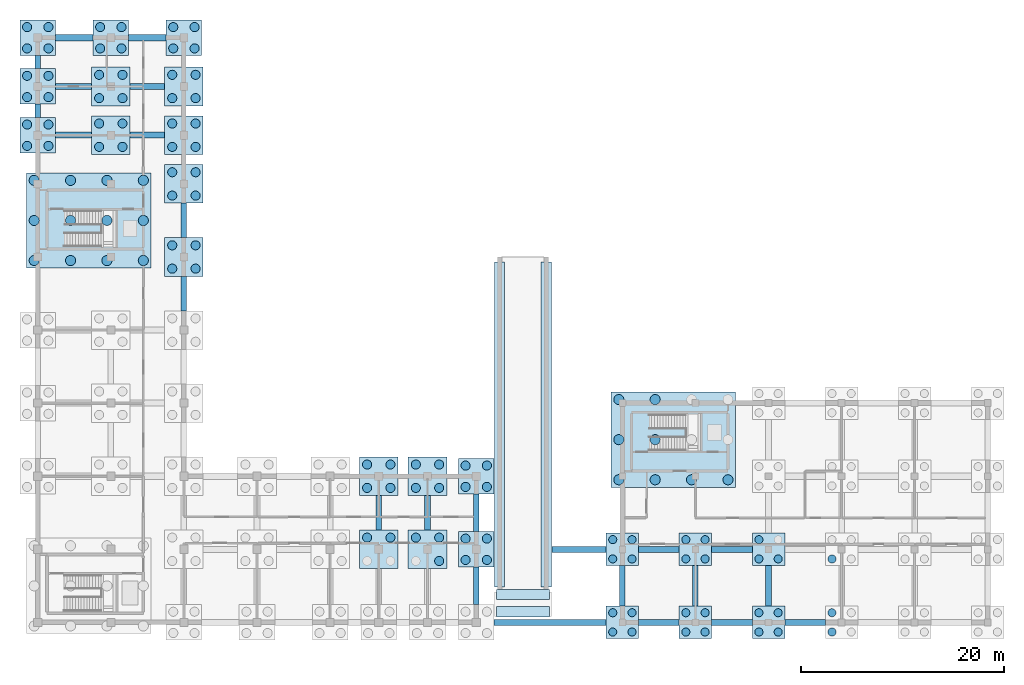
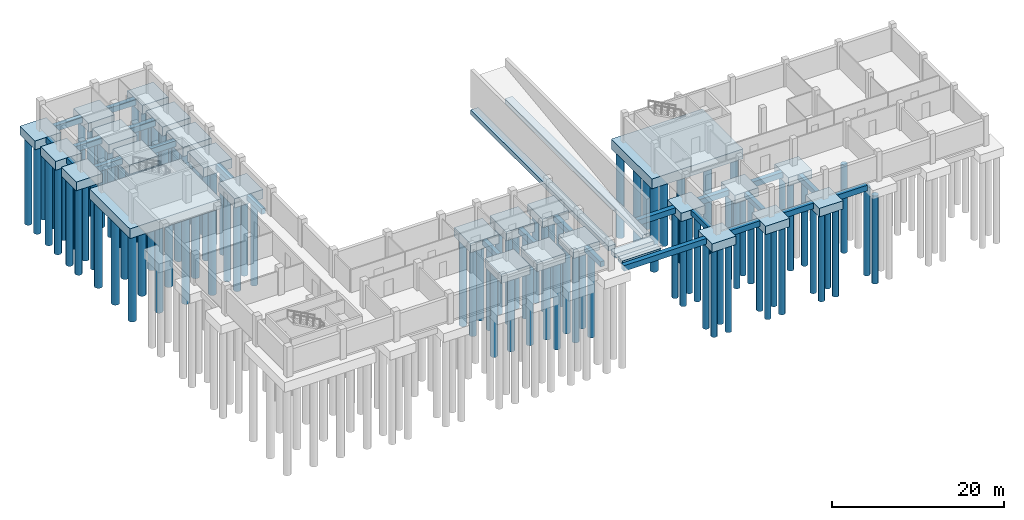
# One storey, part 2 of 10: 111 piles, 53 footings.
"""IFC4 building model written with IfcOpenShell, lengths in metres."""

from ifc_helpers import new_model, si_unit, direction, frame, origin, origin_2d, place, context, subcontext, project, spatial, rectangle, circle, extrude, material, material_profile, profile_set, type_object, element, save


model = new_model("IFC4")

# Units and contexts
model_context = context("Model", 3, precision=1e-05, world=origin(), true_north=direction((0.0, 1.0)))
body_context = subcontext(model_context, "Body", "Model", "MODEL_VIEW")
ifc_project = project(units=[si_unit("LENGTHUNIT", "METRE"), si_unit("AREAUNIT", "SQUARE_METRE"), si_unit("VOLUMEUNIT", "CUBIC_METRE"), si_unit("PLANEANGLEUNIT", "RADIAN"), si_unit("MASSUNIT", "GRAM", prefix="KILO")], contexts=[model_context])

# Site, building, storey
site_placement = place(None, origin())
site = spatial("IfcSite", under=ifc_project, at=site_placement, CompositionType="ELEMENT")
building_placement = place(site_placement, origin())
building = spatial("IfcBuilding", under=site, at=building_placement, Name="Zornivar Specialist Clinic", CompositionType="ELEMENT")
storey_placement = place(building_placement, frame((0.0, 0.0, -4.199951171875)))
storey = spatial("IfcBuildingStorey", under=building, at=storey_placement, Name="B1", CompositionType="ELEMENT", Elevation=-4.199951171875)

# Footings
ifc_material_1 = material(Name="Concrete C30/37", Category="concrete")
ifc_material_profile_1 = material_profile(ifc_material_1, rectangle(XDim=0.550048828125, YDim=0.75, at=origin_2d()), Name="RC 550x750")
ifc_profile_set_1 = profile_set([ifc_material_profile_1], Name="Concrete C30/37")
footing_type_1 = type_object("IfcFootingType", Name="FTG-GB-550x750", PredefinedType="FOOTING_BEAM", material=ifc_profile_set_1)
for number, where, z_axis, x_axis, name in (
    (1, (0.0, 49.75, -0.775146484375), (0.0, 1.0, 0.0), (-1.0, 0.0, 0.0), "gb:B1:y:0:498"),
    (2, (0.0, 54.550048828125, -0.775146484375), (0.0, 1.0, 0.0), (-1.0, 0.0, 0.0), "gb:B1:y:0:546"),
):
    element("IfcFooting", number, at=place(storey_placement, frame(where, z_axis=z_axis, x_axis=x_axis)), inside=storey, type_object=footing_type_1, Name=name, PredefinedType="FOOTING_BEAM", context=body_context, shape_type="SweptSolid", body=[
        extrude(rectangle(XDim=0.550048828125, YDim=0.75, at=origin_2d()), origin(), (0.0, 0.0, 1.0), 1.300048828125),
    ])
for number, where, z_axis, x_axis, name in (
    (3, (14.39990234375, 30.699951171875, -0.775146484375), (0.0, 1.0, 0.0), (-1.0, 0.0, 0.0), "gb:B1:y:144:307"),
    (4, (14.39990234375, 37.89990234375, -0.775146484375), (0.0, 1.0, 0.0), (-1.0, 0.0, 0.0), "gb:B1:y:144:379"),
):
    element("IfcFooting", number, at=place(storey_placement, frame(where, z_axis=z_axis, x_axis=x_axis)), inside=storey, type_object=footing_type_1, Name=name, PredefinedType="FOOTING_BEAM", context=body_context, shape_type="SweptSolid", body=[
        extrude(rectangle(XDim=0.550048828125, YDim=0.75, at=origin_2d()), origin(), (0.0, 0.0, 1.0), 3.400146484375),
    ])
for number, where, z_axis, x_axis, name in (
    (5, (33.60009765625, 9.10009765625, -0.775146484375), (0.0, 1.0, 0.0), (-1.0, 0.0, 0.0), "gb:B1:y:336:91"),
    (6, (38.39990234375, 9.10009765625, -0.775146484375), (0.0, 1.0, 0.0), (-1.0, 0.0, 0.0), "gb:B1:y:384:91"),
):
    element("IfcFooting", number, at=place(storey_placement, frame(where, z_axis=z_axis, x_axis=x_axis)), inside=storey, type_object=footing_type_1, Name=name, PredefinedType="FOOTING_BEAM", context=body_context, shape_type="SweptSolid", body=[
        extrude(rectangle(XDim=0.550048828125, YDim=0.75, at=origin_2d()), origin(), (0.0, 0.0, 1.0), 3.39990234375),
    ])
for number, where, z_axis, x_axis, name in (
    (7, (43.199951171875, 1.75, -0.775146484375), (0.0, 1.0, 0.0), (-1.0, 0.0, 0.0), "gb:B1:y:432:18"),
    (8, (43.199951171875, 8.949951171875, -0.775146484375), (0.0, 1.0, 0.0), (-1.0, 0.0, 0.0), "gb:B1:y:432:90"),
):
    element("IfcFooting", number, at=place(storey_placement, frame(where, z_axis=z_axis, x_axis=x_axis)), inside=storey, type_object=footing_type_1, Name=name, PredefinedType="FOOTING_BEAM", context=body_context, shape_type="SweptSolid", body=[
        extrude(rectangle(XDim=0.550048828125, YDim=0.75, at=origin_2d()), origin(), (0.0, 0.0, 1.0), 3.699951171875),
    ])
for number, where, z_axis, x_axis, name in (
    (9, (57.60009765625, 1.60009765625, -0.775146484375), (0.0, 1.0, 0.0), (-1.0, 0.0, 0.0), "gb:B1:y:576:16"),
    (10, (64.800048828125, 1.60009765625, -0.775146484375), (0.0, 1.0, 0.0), (-1.0, 0.0, 0.0), "gb:B1:y:648:16"),
    (11, (72.0, 1.60009765625, -0.775146484375), (0.0, 1.0, 0.0), (-1.0, 0.0, 0.0), "gb:B1:y:720:16"),
):
    element("IfcFooting", number, at=place(storey_placement, frame(where, z_axis=z_axis, x_axis=x_axis)), inside=storey, type_object=footing_type_1, Name=name, PredefinedType="FOOTING_BEAM", context=body_context, shape_type="SweptSolid", body=[
        extrude(rectangle(XDim=0.550048828125, YDim=0.75, at=origin_2d()), origin(), (0.0, 0.0, 1.0), 4.0),
    ])
ifc_material_2 = material(Name="Concrete C30/37", Category="concrete")
ifc_material_profile_2 = material_profile(ifc_material_2, rectangle(XDim=0.60009765625, YDim=0.800048828125, at=origin_2d()), Name="RC 600x800")
ifc_profile_set_2 = profile_set([ifc_material_profile_2], Name="Concrete C30/37")
footing_type_2 = type_object("IfcFootingType", Name="FTG-GB-600x800", PredefinedType="FOOTING_BEAM", material=ifc_profile_set_2)
footing_1_placement = place(storey_placement, frame((44.949951171875, 0.0, -0.800048828125), z_axis=(1.0, 0.0, 0.0), x_axis=(0.0, 1.0, 0.0)))
element("IfcFooting", 12, at=footing_1_placement, inside=storey, type_object=footing_type_2, Name="gb:B1:x:0:450", PredefinedType="FOOTING_BEAM", context=body_context, shape_type="SweptSolid", body=[
    extrude(rectangle(XDim=0.60009765625, YDim=0.800048828125, at=origin_2d()), origin(), (0.0, 0.0, 1.0), 11.050048828125),
])
for number, where, z_axis, x_axis, name in (
    (13, (59.199951171875, 0.0, -0.800048828125), (1.0, 0.0, 0.0), (0.0, 1.0, 0.0), "gb:B1:x:0:592"),
    (14, (66.39990234375, 0.0, -0.800048828125), (1.0, 0.0, 0.0), (0.0, 1.0, 0.0), "gb:B1:x:0:664"),
    (15, (73.60009765625, 0.0, -0.800048828125), (1.0, 0.0, 0.0), (0.0, 1.0, 0.0), "gb:B1:x:0:736"),
):
    element("IfcFooting", number, at=place(storey_placement, frame(where, z_axis=z_axis, x_axis=x_axis)), inside=storey, type_object=footing_type_2, Name=name, PredefinedType="FOOTING_BEAM", context=body_context, shape_type="SweptSolid", body=[
        extrude(rectangle(XDim=0.60009765625, YDim=0.800048828125, at=origin_2d()), origin(), (0.0, 0.0, 1.0), 4.0),
    ])
footing_2_placement = place(storey_placement, frame((50.64990234375, 7.199951171875, -0.800048828125), z_axis=(1.0, 0.0, 0.0), x_axis=(0.0, 1.0, 0.0)))
element("IfcFooting", 16, at=footing_2_placement, inside=storey, type_object=footing_type_2, Name="gb:B1:x:72:506_1", PredefinedType="FOOTING_BEAM", context=body_context, shape_type="SweptSolid", body=[
    extrude(rectangle(XDim=0.60009765625, YDim=0.800048828125, at=origin_2d()), origin(), (0.0, 0.0, 1.0), 5.35009765625),
])
for number, where, z_axis, x_axis, name in (
    (17, (59.199951171875, 7.199951171875, -0.800048828125), (1.0, 0.0, 0.0), (0.0, 1.0, 0.0), "gb:B1:x:72:592"),
    (18, (66.39990234375, 7.199951171875, -0.800048828125), (1.0, 0.0, 0.0), (0.0, 1.0, 0.0), "gb:B1:x:72:664"),
):
    element("IfcFooting", number, at=place(storey_placement, frame(where, z_axis=z_axis, x_axis=x_axis)), inside=storey, type_object=footing_type_2, Name=name, PredefinedType="FOOTING_BEAM", context=body_context, shape_type="SweptSolid", body=[
        extrude(rectangle(XDim=0.60009765625, YDim=0.800048828125, at=origin_2d()), origin(), (0.0, 0.0, 1.0), 4.0),
    ])
footing_3_placement = place(storey_placement, frame((1.75, 48.0, -0.800048828125), z_axis=(1.0, 0.0, 0.0), x_axis=(0.0, 1.0, 0.0)))
element("IfcFooting", 19, at=footing_3_placement, inside=storey, type_object=footing_type_2, Name="gb:B1:x:480:18", PredefinedType="FOOTING_BEAM", context=body_context, shape_type="SweptSolid", body=[
    extrude(rectangle(XDim=0.60009765625, YDim=0.800048828125, at=origin_2d()), origin(), (0.0, 0.0, 1.0), 3.550048828125),
])
footing_4_placement = place(storey_placement, frame((9.10009765625, 48.0, -0.800048828125), z_axis=(1.0, 0.0, 0.0), x_axis=(0.0, 1.0, 0.0)))
element("IfcFooting", 20, at=footing_4_placement, inside=storey, type_object=footing_type_2, Name="gb:B1:x:480:91", PredefinedType="FOOTING_BEAM", context=body_context, shape_type="SweptSolid", body=[
    extrude(rectangle(XDim=0.60009765625, YDim=0.800048828125, at=origin_2d()), origin(), (0.0, 0.0, 1.0), 3.39990234375),
])
footing_5_placement = place(storey_placement, frame((1.75, 52.800048828125, -0.800048828125), z_axis=(1.0, 0.0, 0.0), x_axis=(0.0, 1.0, 0.0)))
element("IfcFooting", 21, at=footing_5_placement, inside=storey, type_object=footing_type_2, Name="gb:B1:x:528:18", PredefinedType="FOOTING_BEAM", context=body_context, shape_type="SweptSolid", body=[
    extrude(rectangle(XDim=0.60009765625, YDim=0.800048828125, at=origin_2d()), origin(), (0.0, 0.0, 1.0), 3.550048828125),
])
footing_6_placement = place(storey_placement, frame((9.10009765625, 52.800048828125, -0.800048828125), z_axis=(1.0, 0.0, 0.0), x_axis=(0.0, 1.0, 0.0)))
element("IfcFooting", 22, at=footing_6_placement, inside=storey, type_object=footing_type_2, Name="gb:B1:x:528:91", PredefinedType="FOOTING_BEAM", context=body_context, shape_type="SweptSolid", body=[
    extrude(rectangle(XDim=0.60009765625, YDim=0.800048828125, at=origin_2d()), origin(), (0.0, 0.0, 1.0), 3.39990234375),
])
for number, where, z_axis, x_axis, name in (
    (23, (1.75, 57.60009765625, -0.800048828125), (1.0, 0.0, 0.0), (0.0, 1.0, 0.0), "gb:B1:x:576:18"),
    (24, (8.949951171875, 57.60009765625, -0.800048828125), (1.0, 0.0, 0.0), (0.0, 1.0, 0.0), "gb:B1:x:576:90"),
):
    element("IfcFooting", number, at=place(storey_placement, frame(where, z_axis=z_axis, x_axis=x_axis)), inside=storey, type_object=footing_type_2, Name=name, PredefinedType="FOOTING_BEAM", context=body_context, shape_type="SweptSolid", body=[
        extrude(rectangle(XDim=0.60009765625, YDim=0.800048828125, at=origin_2d()), origin(), (0.0, 0.0, 1.0), 3.699951171875),
    ])
ifc_material_3 = material(Name="Concrete C30/37", Category="concrete")
footing_type_3 = type_object("IfcFootingType", Name="FTG-PC-4P-320x320x120", PredefinedType="PILE_CAP", material=ifc_material_3)
for number, where, z_axis, x_axis, name in (
    (25, (57.60009765625, 0.0, -1.60009765625), (0.0, 0.0, 1.0), (1.0, 0.0, 0.0), "ftg:V3:57600_0"),
    (26, (57.60009765625, 7.199951171875, -1.60009765625), (0.0, 0.0, 1.0), (1.0, 0.0, 0.0), "ftg:V3:57600_7200"),
    (27, (64.800048828125, 0.0, -1.60009765625), (0.0, 0.0, 1.0), (1.0, 0.0, 0.0), "ftg:V3:64800_0"),
    (28, (64.800048828125, 7.199951171875, -1.60009765625), (0.0, 0.0, 1.0), (1.0, 0.0, 0.0), "ftg:V3:64800_7200"),
    (29, (72.0, 0.0, -1.60009765625), (0.0, 0.0, 1.0), (1.0, 0.0, 0.0), "ftg:V3:72000_0"),
    (30, (72.0, 7.199951171875, -1.60009765625), (0.0, 0.0, 1.0), (1.0, 0.0, 0.0), "ftg:V3:72000_7200"),
):
    element("IfcFooting", number, at=place(storey_placement, frame(where, z_axis=z_axis, x_axis=x_axis)), inside=storey, type_object=footing_type_3, Name=name, PredefinedType="PILE_CAP", context=body_context, shape_type="SweptSolid", body=[
        extrude(rectangle(XDim=3.199951171875, YDim=3.199951171875, at=origin_2d()), origin(), (0.0, 0.0, 1.0), 1.199951171875),
    ])
ifc_material_4 = material(Name="Concrete C30/37", Category="concrete")
footing_type_4 = type_object("IfcFootingType", Name="FTG-PC-4P-350x350x125", PredefinedType="PILE_CAP", material=ifc_material_4)
for number, where, z_axis, x_axis, name in (
    (31, (0.0, 48.0, -1.650146484375), (0.0, 0.0, 1.0), (1.0, 0.0, 0.0), "ftg:V2:0_48000"),
    (32, (0.0, 52.800048828125, -1.650146484375), (0.0, 0.0, 1.0), (1.0, 0.0, 0.0), "ftg:V2:0_52800"),
    (33, (0.0, 57.60009765625, -1.650146484375), (0.0, 0.0, 1.0), (1.0, 0.0, 0.0), "ftg:V2:0_57600"),
    (34, (7.199951171875, 57.60009765625, -1.650146484375), (0.0, 0.0, 1.0), (1.0, 0.0, 0.0), "ftg:V2:7200_57600"),
    (35, (14.39990234375, 57.60009765625, -1.650146484375), (0.0, 0.0, 1.0), (1.0, 0.0, 0.0), "ftg:V2:14400_57600"),
    (36, (43.199951171875, 7.199951171875, -1.650146484375), (0.0, 0.0, 1.0), (1.0, 0.0, 0.0), "ftg:V2:43200_7200"),
    (37, (43.199951171875, 14.39990234375, -1.650146484375), (0.0, 0.0, 1.0), (1.0, 0.0, 0.0), "ftg:V2:43200_14400"),
):
    element("IfcFooting", number, at=place(storey_placement, frame(where, z_axis=z_axis, x_axis=x_axis)), inside=storey, type_object=footing_type_4, Name=name, PredefinedType="PILE_CAP", context=body_context, shape_type="SweptSolid", body=[
        extrude(rectangle(XDim=3.5, YDim=3.5, at=origin_2d()), origin(), (0.0, 0.0, 1.0), 1.25),
    ])
ifc_material_5 = material(Name="Concrete C30/37", Category="concrete")
footing_type_5 = type_object("IfcFootingType", Name="FTG-PC-4P-380x380x130", PredefinedType="PILE_CAP", material=ifc_material_5)
for number, where, z_axis, x_axis, name in (
    (38, (7.199951171875, 48.0, -1.7001953125), (0.0, 0.0, 1.0), (1.0, 0.0, 0.0), "ftg:V2:7200_48000"),
    (39, (7.199951171875, 52.800048828125, -1.7001953125), (0.0, 0.0, 1.0), (1.0, 0.0, 0.0), "ftg:V2:7200_52800"),
    (40, (14.39990234375, 36.0, -1.7001953125), (0.0, 0.0, 1.0), (1.0, 0.0, 0.0), "ftg:V2:14400_36000"),
    (41, (14.39990234375, 43.199951171875, -1.7001953125), (0.0, 0.0, 1.0), (1.0, 0.0, 0.0), "ftg:V2:14400_43200"),
    (42, (14.39990234375, 48.0, -1.7001953125), (0.0, 0.0, 1.0), (1.0, 0.0, 0.0), "ftg:V2:14400_48000"),
    (43, (14.39990234375, 52.800048828125, -1.7001953125), (0.0, 0.0, 1.0), (1.0, 0.0, 0.0), "ftg:V2:14400_52800"),
    (44, (33.60009765625, 7.199951171875, -1.7001953125), (0.0, 0.0, 1.0), (1.0, 0.0, 0.0), "ftg:V2:33600_7200"),
    (45, (33.60009765625, 14.39990234375, -1.7001953125), (0.0, 0.0, 1.0), (1.0, 0.0, 0.0), "ftg:V2:33600_14400"),
    (46, (38.39990234375, 7.199951171875, -1.7001953125), (0.0, 0.0, 1.0), (1.0, 0.0, 0.0), "ftg:V2:38400_7200"),
    (47, (38.39990234375, 14.39990234375, -1.7001953125), (0.0, 0.0, 1.0), (1.0, 0.0, 0.0), "ftg:V2:38400_14400"),
):
    element("IfcFooting", number, at=place(storey_placement, frame(where, z_axis=z_axis, x_axis=x_axis)), inside=storey, type_object=footing_type_5, Name=name, PredefinedType="PILE_CAP", context=body_context, shape_type="SweptSolid", body=[
        extrude(rectangle(XDim=3.800048828125, YDim=3.800048828125, at=origin_2d()), origin(), (0.0, 0.0, 1.0), 1.300048828125),
    ])
ifc_material_6 = material(Name="Concrete C30/37", Category="concrete")
footing_type_6 = type_object("IfcFootingType", Name="FTG-PC-COMB-1225x940x140", PredefinedType="PILE_CAP", material=ifc_material_6)
for number, where, z_axis, x_axis, name in (
    (48, (5.02490234375, 39.60009765625, -1.800048828125), (0.0, 0.0, 1.0), (1.0, 0.0, 0.0), "ftg:core:C2"),
    (49, (62.625, 18.0, -1.800048828125), (0.0, 0.0, 1.0), (1.0, 0.0, 0.0), "ftg:core:C5"),
):
    element("IfcFooting", number, at=place(storey_placement, frame(where, z_axis=z_axis, x_axis=x_axis)), inside=storey, type_object=footing_type_6, Name=name, PredefinedType="PILE_CAP", context=body_context, shape_type="SweptSolid", body=[
        extrude(rectangle(XDim=12.25, YDim=9.39990234375, at=origin_2d()), origin(), (0.0, 0.0, 1.0), 1.39990234375),
    ])
ifc_material_7 = material(Name="Concrete C30/37", Category="concrete")
ifc_material_profile_3 = material_profile(ifc_material_7, rectangle(XDim=1.0, YDim=0.64990234375, at=origin_2d()), Name="RC 1000x650")
ifc_profile_set_3 = profile_set([ifc_material_profile_3], Name="Concrete C30/37")
footing_type_7 = type_object("IfcFootingType", Name="FTG-STRIP-1000x650", PredefinedType="STRIP_FOOTING", material=ifc_profile_set_3)
for number, where, z_axis, x_axis, name in (
    (50, (45.199951171875, 1.050048828125, -0.675048828125), (1.0, 0.0, 0.0), (0.0, 1.0, 0.0), "ftg:ramp:B1:botS"),
    (51, (45.199951171875, 2.75, -0.675048828125), (1.0, 0.0, 0.0), (0.0, 1.0, 0.0), "ftg:ramp:B1:botN"),
):
    element("IfcFooting", number, at=place(storey_placement, frame(where, z_axis=z_axis, x_axis=x_axis)), inside=storey, type_object=footing_type_7, Name=name, PredefinedType="STRIP_FOOTING", context=body_context, shape_type="SweptSolid", body=[
        extrude(rectangle(XDim=1.0, YDim=0.64990234375, at=origin_2d()), origin(), (0.0, 0.0, 1.0), 5.199951171875),
    ])
for number, where, z_axis, x_axis, name in (
    (52, (45.5, 3.5, -0.324951171875), (0.0, 1.0, 0.0), (-1.0, 0.0, 0.0), "ftg:ramp:B1:wall:W"),
    (53, (50.10009765625, 3.5, -0.324951171875), (0.0, 1.0, 0.0), (-1.0, 0.0, 0.0), "ftg:ramp:B1:wall:E"),
):
    element("IfcFooting", number, at=place(storey_placement, frame(where, z_axis=z_axis, x_axis=x_axis)), inside=storey, type_object=footing_type_7, Name=name, PredefinedType="STRIP_FOOTING", context=body_context, shape_type="SweptSolid", body=[
        extrude(rectangle(XDim=1.0, YDim=0.64990234375, at=origin_2d()), origin(), (0.0, 0.0, 1.0), 32.0),
    ])

# Piles
ifc_material_8 = material(Name="Concrete C30/37", Category="concrete")
ifc_material_profile_4 = material_profile(ifc_material_8, circle(Radius=0.5, at=origin_2d()), Name="PILE D1000")
ifc_profile_set_4 = profile_set([ifc_material_profile_4], Name="Concrete C30/37")
pile_type_1 = type_object("IfcPileType", Name="PILE-BORED-1000", PredefinedType="BORED", material=ifc_profile_set_4)
for number, where, z_axis, x_axis, name in (
    (54, (-0.35009765625, 35.64990234375, -1.699951171875), (0.0, 0.0, -1.0), (1.0, 0.0, 0.0), "pile:ftg:core:C2:0"),
    (55, (-0.35009765625, 39.60009765625, -1.699951171875), (0.0, 0.0, -1.0), (1.0, 0.0, 0.0), "pile:ftg:core:C2:1"),
    (56, (-0.35009765625, 43.550048828125, -1.699951171875), (0.0, 0.0, -1.0), (1.0, 0.0, 0.0), "pile:ftg:core:C2:2"),
    (57, (3.23291015625, 35.64990234375, -1.699951171875), (0.0, 0.0, -1.0), (1.0, 0.0, 0.0), "pile:ftg:core:C2:3"),
    (58, (3.23291015625, 39.60009765625, -1.699951171875), (0.0, 0.0, -1.0), (1.0, 0.0, 0.0), "pile:ftg:core:C2:4"),
    (59, (3.23291015625, 43.550048828125, -1.699951171875), (0.0, 0.0, -1.0), (1.0, 0.0, 0.0), "pile:ftg:core:C2:5"),
    (60, (6.81689453125, 35.64990234375, -1.699951171875), (0.0, 0.0, -1.0), (1.0, 0.0, 0.0), "pile:ftg:core:C2:6"),
    (61, (6.81689453125, 39.60009765625, -1.699951171875), (0.0, 0.0, -1.0), (1.0, 0.0, 0.0), "pile:ftg:core:C2:7"),
    (62, (6.81689453125, 43.550048828125, -1.699951171875), (0.0, 0.0, -1.0), (1.0, 0.0, 0.0), "pile:ftg:core:C2:8"),
    (63, (10.39990234375, 35.64990234375, -1.699951171875), (0.0, 0.0, -1.0), (1.0, 0.0, 0.0), "pile:ftg:core:C2:9"),
    (64, (10.39990234375, 39.60009765625, -1.699951171875), (0.0, 0.0, -1.0), (1.0, 0.0, 0.0), "pile:ftg:core:C2:10"),
    (65, (10.39990234375, 43.550048828125, -1.699951171875), (0.0, 0.0, -1.0), (1.0, 0.0, 0.0), "pile:ftg:core:C2:11"),
    (66, (57.25, 14.050048828125, -1.699951171875), (0.0, 0.0, -1.0), (1.0, 0.0, 0.0), "pile:ftg:core:C5:0"),
    (67, (57.25, 18.0, -1.699951171875), (0.0, 0.0, -1.0), (1.0, 0.0, 0.0), "pile:ftg:core:C5:1"),
    (68, (57.25, 21.949951171875, -1.699951171875), (0.0, 0.0, -1.0), (1.0, 0.0, 0.0), "pile:ftg:core:C5:2"),
    (69, (60.8330078125, 14.050048828125, -1.699951171875), (0.0, 0.0, -1.0), (1.0, 0.0, 0.0), "pile:ftg:core:C5:3"),
    (70, (60.8330078125, 18.0, -1.699951171875), (0.0, 0.0, -1.0), (1.0, 0.0, 0.0), "pile:ftg:core:C5:4"),
    (71, (60.8330078125, 21.949951171875, -1.699951171875), (0.0, 0.0, -1.0), (1.0, 0.0, 0.0), "pile:ftg:core:C5:5"),
    (72, (64.4169921875, 14.050048828125, -1.699951171875), (0.0, 0.0, -1.0), (1.0, 0.0, 0.0), "pile:ftg:core:C5:6"),
    (73, (68.0, 14.050048828125, -1.699951171875), (0.0, 0.0, -1.0), (1.0, 0.0, 0.0), "pile:ftg:core:C5:9"),
):
    element("IfcPile", number, at=place(storey_placement, frame(where, z_axis=z_axis, x_axis=x_axis)), inside=storey, type_object=pile_type_1, Name=name, PredefinedType="BORED", context=body_context, shape_type="SweptSolid", body=[
        extrude(circle(Radius=0.5, at=origin_2d()), origin(), (0.0, 0.0, 1.0), 12.300048828125),
    ])
ifc_material_9 = material(Name="Concrete C30/37", Category="concrete")
ifc_material_profile_5 = material_profile(ifc_material_9, circle(Radius=0.39990234375, at=origin_2d()), Name="PILE D800")
ifc_profile_set_5 = profile_set([ifc_material_profile_5], Name="Concrete C30/37")
pile_type_2 = type_object("IfcPileType", Name="PILE-BORED-800", PredefinedType="BORED", material=ifc_profile_set_5)
for number, where, z_axis, x_axis, name in (
    (74, (56.64990234375, -0.949951171875, -1.5), (0.0, 0.0, -1.0), (1.0, 0.0, 0.0), "pile:ftg:V3:57600_0:0"),
    (75, (58.550048828125, -0.949951171875, -1.5), (0.0, 0.0, -1.0), (1.0, 0.0, 0.0), "pile:ftg:V3:57600_0:1"),
    (76, (56.64990234375, 0.949951171875, -1.5), (0.0, 0.0, -1.0), (1.0, 0.0, 0.0), "pile:ftg:V3:57600_0:2"),
    (77, (58.550048828125, 0.949951171875, -1.5), (0.0, 0.0, -1.0), (1.0, 0.0, 0.0), "pile:ftg:V3:57600_0:3"),
    (78, (56.64990234375, 6.25, -1.5), (0.0, 0.0, -1.0), (1.0, 0.0, 0.0), "pile:ftg:V3:57600_7200:0"),
    (79, (58.550048828125, 6.25, -1.5), (0.0, 0.0, -1.0), (1.0, 0.0, 0.0), "pile:ftg:V3:57600_7200:1"),
    (80, (56.64990234375, 8.14990234375, -1.5), (0.0, 0.0, -1.0), (1.0, 0.0, 0.0), "pile:ftg:V3:57600_7200:2"),
    (81, (58.550048828125, 8.14990234375, -1.5), (0.0, 0.0, -1.0), (1.0, 0.0, 0.0), "pile:ftg:V3:57600_7200:3"),
    (82, (63.85009765625, -0.949951171875, -1.5), (0.0, 0.0, -1.0), (1.0, 0.0, 0.0), "pile:ftg:V3:64800_0:0"),
    (83, (65.75, -0.949951171875, -1.5), (0.0, 0.0, -1.0), (1.0, 0.0, 0.0), "pile:ftg:V3:64800_0:1"),
    (84, (63.85009765625, 0.949951171875, -1.5), (0.0, 0.0, -1.0), (1.0, 0.0, 0.0), "pile:ftg:V3:64800_0:2"),
    (85, (65.75, 0.949951171875, -1.5), (0.0, 0.0, -1.0), (1.0, 0.0, 0.0), "pile:ftg:V3:64800_0:3"),
    (86, (63.85009765625, 6.25, -1.5), (0.0, 0.0, -1.0), (1.0, 0.0, 0.0), "pile:ftg:V3:64800_7200:0"),
    (87, (65.75, 6.25, -1.5), (0.0, 0.0, -1.0), (1.0, 0.0, 0.0), "pile:ftg:V3:64800_7200:1"),
    (88, (63.85009765625, 8.14990234375, -1.5), (0.0, 0.0, -1.0), (1.0, 0.0, 0.0), "pile:ftg:V3:64800_7200:2"),
    (89, (65.75, 8.14990234375, -1.5), (0.0, 0.0, -1.0), (1.0, 0.0, 0.0), "pile:ftg:V3:64800_7200:3"),
    (90, (71.050048828125, -0.949951171875, -1.5), (0.0, 0.0, -1.0), (1.0, 0.0, 0.0), "pile:ftg:V3:72000_0:0"),
    (91, (72.949951171875, -0.949951171875, -1.5), (0.0, 0.0, -1.0), (1.0, 0.0, 0.0), "pile:ftg:V3:72000_0:1"),
    (92, (71.050048828125, 0.949951171875, -1.5), (0.0, 0.0, -1.0), (1.0, 0.0, 0.0), "pile:ftg:V3:72000_0:2"),
    (93, (72.949951171875, 0.949951171875, -1.5), (0.0, 0.0, -1.0), (1.0, 0.0, 0.0), "pile:ftg:V3:72000_0:3"),
    (94, (71.050048828125, 6.25, -1.5), (0.0, 0.0, -1.0), (1.0, 0.0, 0.0), "pile:ftg:V3:72000_7200:0"),
    (95, (72.949951171875, 6.25, -1.5), (0.0, 0.0, -1.0), (1.0, 0.0, 0.0), "pile:ftg:V3:72000_7200:1"),
    (96, (71.050048828125, 8.14990234375, -1.5), (0.0, 0.0, -1.0), (1.0, 0.0, 0.0), "pile:ftg:V3:72000_7200:2"),
    (97, (78.25, -0.949951171875, -1.5), (0.0, 0.0, -1.0), (1.0, 0.0, 0.0), "pile:ftg:V3:79200_0:0"),
    (98, (78.25, 0.949951171875, -1.5), (0.0, 0.0, -1.0), (1.0, 0.0, 0.0), "pile:ftg:V3:79200_0:2"),
    (99, (78.25, 6.25, -1.5), (0.0, 0.0, -1.0), (1.0, 0.0, 0.0), "pile:ftg:V3:79200_7200:0"),
):
    element("IfcPile", number, at=place(storey_placement, frame(where, z_axis=z_axis, x_axis=x_axis)), inside=storey, type_object=pile_type_2, Name=name, PredefinedType="BORED", context=body_context, shape_type="SweptSolid", body=[
        extrude(circle(Radius=0.39990234375, at=origin_2d()), origin(), (0.0, 0.0, 1.0), 12.5),
    ])
ifc_material_10 = material(Name="Concrete C30/37", Category="concrete")
ifc_material_profile_6 = material_profile(ifc_material_10, circle(Radius=0.449951171875, at=origin_2d()), Name="PILE D900")
ifc_profile_set_6 = profile_set([ifc_material_profile_6], Name="Concrete C30/37")
pile_type_3 = type_object("IfcPileType", Name="PILE-BORED-900", PredefinedType="BORED", material=ifc_profile_set_6)
for number, where, z_axis, x_axis, name in (
    (100, (-1.050048828125, 46.949951171875, -1.550048828125), (0.0, 0.0, -1.0), (1.0, 0.0, 0.0), "pile:ftg:V2:0_48000:0"),
    (101, (1.050048828125, 46.949951171875, -1.550048828125), (0.0, 0.0, -1.0), (1.0, 0.0, 0.0), "pile:ftg:V2:0_48000:1"),
    (102, (-1.050048828125, 49.050048828125, -1.550048828125), (0.0, 0.0, -1.0), (1.0, 0.0, 0.0), "pile:ftg:V2:0_48000:2"),
    (103, (1.050048828125, 49.050048828125, -1.550048828125), (0.0, 0.0, -1.0), (1.0, 0.0, 0.0), "pile:ftg:V2:0_48000:3"),
    (104, (-1.050048828125, 51.75, -1.550048828125), (0.0, 0.0, -1.0), (1.0, 0.0, 0.0), "pile:ftg:V2:0_52800:0"),
    (105, (1.050048828125, 51.75, -1.550048828125), (0.0, 0.0, -1.0), (1.0, 0.0, 0.0), "pile:ftg:V2:0_52800:1"),
    (106, (-1.050048828125, 53.85009765625, -1.550048828125), (0.0, 0.0, -1.0), (1.0, 0.0, 0.0), "pile:ftg:V2:0_52800:2"),
    (107, (1.050048828125, 53.85009765625, -1.550048828125), (0.0, 0.0, -1.0), (1.0, 0.0, 0.0), "pile:ftg:V2:0_52800:3"),
    (108, (-1.050048828125, 56.550048828125, -1.550048828125), (0.0, 0.0, -1.0), (1.0, 0.0, 0.0), "pile:ftg:V2:0_57600:0"),
    (109, (1.050048828125, 56.550048828125, -1.550048828125), (0.0, 0.0, -1.0), (1.0, 0.0, 0.0), "pile:ftg:V2:0_57600:1"),
    (110, (-1.050048828125, 58.64990234375, -1.550048828125), (0.0, 0.0, -1.0), (1.0, 0.0, 0.0), "pile:ftg:V2:0_57600:2"),
    (111, (1.050048828125, 58.64990234375, -1.550048828125), (0.0, 0.0, -1.0), (1.0, 0.0, 0.0), "pile:ftg:V2:0_57600:3"),
):
    element("IfcPile", number, at=place(storey_placement, frame(where, z_axis=z_axis, x_axis=x_axis)), inside=storey, type_object=pile_type_3, Name=name, PredefinedType="BORED", context=body_context, shape_type="SweptSolid", body=[
        extrude(circle(Radius=0.449951171875, at=origin_2d()), origin(), (0.0, 0.0, 1.0), 12.449951171875),
    ])
for number, where, z_axis, x_axis, name in (
    (112, (6.050048828125, 46.85009765625, -1.60009765625), (0.0, 0.0, -1.0), (1.0, 0.0, 0.0), "pile:ftg:V2:7200_48000:0"),
    (113, (8.35009765625, 46.85009765625, -1.60009765625), (0.0, 0.0, -1.0), (1.0, 0.0, 0.0), "pile:ftg:V2:7200_48000:1"),
    (114, (6.050048828125, 49.14990234375, -1.60009765625), (0.0, 0.0, -1.0), (1.0, 0.0, 0.0), "pile:ftg:V2:7200_48000:2"),
    (115, (8.35009765625, 49.14990234375, -1.60009765625), (0.0, 0.0, -1.0), (1.0, 0.0, 0.0), "pile:ftg:V2:7200_48000:3"),
    (116, (6.050048828125, 51.64990234375, -1.60009765625), (0.0, 0.0, -1.0), (1.0, 0.0, 0.0), "pile:ftg:V2:7200_52800:0"),
    (117, (8.35009765625, 51.64990234375, -1.60009765625), (0.0, 0.0, -1.0), (1.0, 0.0, 0.0), "pile:ftg:V2:7200_52800:1"),
    (118, (6.050048828125, 53.949951171875, -1.60009765625), (0.0, 0.0, -1.0), (1.0, 0.0, 0.0), "pile:ftg:V2:7200_52800:2"),
    (119, (8.35009765625, 53.949951171875, -1.60009765625), (0.0, 0.0, -1.0), (1.0, 0.0, 0.0), "pile:ftg:V2:7200_52800:3"),
):
    element("IfcPile", number, at=place(storey_placement, frame(where, z_axis=z_axis, x_axis=x_axis)), inside=storey, type_object=pile_type_3, Name=name, PredefinedType="BORED", context=body_context, shape_type="SweptSolid", body=[
        extrude(circle(Radius=0.449951171875, at=origin_2d()), origin(), (0.0, 0.0, 1.0), 12.39990234375),
    ])
for number, where, z_axis, x_axis, name in (
    (120, (6.14990234375, 56.550048828125, -1.550048828125), (0.0, 0.0, -1.0), (1.0, 0.0, 0.0), "pile:ftg:V2:7200_57600:0"),
    (121, (8.25, 56.550048828125, -1.550048828125), (0.0, 0.0, -1.0), (1.0, 0.0, 0.0), "pile:ftg:V2:7200_57600:1"),
    (122, (6.14990234375, 58.64990234375, -1.550048828125), (0.0, 0.0, -1.0), (1.0, 0.0, 0.0), "pile:ftg:V2:7200_57600:2"),
    (123, (8.25, 58.64990234375, -1.550048828125), (0.0, 0.0, -1.0), (1.0, 0.0, 0.0), "pile:ftg:V2:7200_57600:3"),
):
    element("IfcPile", number, at=place(storey_placement, frame(where, z_axis=z_axis, x_axis=x_axis)), inside=storey, type_object=pile_type_3, Name=name, PredefinedType="BORED", context=body_context, shape_type="SweptSolid", body=[
        extrude(circle(Radius=0.449951171875, at=origin_2d()), origin(), (0.0, 0.0, 1.0), 12.449951171875),
    ])
for number, where, z_axis, x_axis, name in (
    (124, (13.25, 34.85009765625, -1.60009765625), (0.0, 0.0, -1.0), (1.0, 0.0, 0.0), "pile:ftg:V2:14400_36000:0"),
    (125, (15.550048828125, 34.85009765625, -1.60009765625), (0.0, 0.0, -1.0), (1.0, 0.0, 0.0), "pile:ftg:V2:14400_36000:1"),
    (126, (13.25, 37.14990234375, -1.60009765625), (0.0, 0.0, -1.0), (1.0, 0.0, 0.0), "pile:ftg:V2:14400_36000:2"),
    (127, (15.550048828125, 37.14990234375, -1.60009765625), (0.0, 0.0, -1.0), (1.0, 0.0, 0.0), "pile:ftg:V2:14400_36000:3"),
    (128, (13.25, 42.050048828125, -1.60009765625), (0.0, 0.0, -1.0), (1.0, 0.0, 0.0), "pile:ftg:V2:14400_43200:0"),
    (129, (15.550048828125, 42.050048828125, -1.60009765625), (0.0, 0.0, -1.0), (1.0, 0.0, 0.0), "pile:ftg:V2:14400_43200:1"),
    (130, (13.25, 44.35009765625, -1.60009765625), (0.0, 0.0, -1.0), (1.0, 0.0, 0.0), "pile:ftg:V2:14400_43200:2"),
    (131, (15.550048828125, 44.35009765625, -1.60009765625), (0.0, 0.0, -1.0), (1.0, 0.0, 0.0), "pile:ftg:V2:14400_43200:3"),
    (132, (13.25, 46.85009765625, -1.60009765625), (0.0, 0.0, -1.0), (1.0, 0.0, 0.0), "pile:ftg:V2:14400_48000:0"),
    (133, (15.550048828125, 46.85009765625, -1.60009765625), (0.0, 0.0, -1.0), (1.0, 0.0, 0.0), "pile:ftg:V2:14400_48000:1"),
    (134, (13.25, 49.14990234375, -1.60009765625), (0.0, 0.0, -1.0), (1.0, 0.0, 0.0), "pile:ftg:V2:14400_48000:2"),
    (135, (15.550048828125, 49.14990234375, -1.60009765625), (0.0, 0.0, -1.0), (1.0, 0.0, 0.0), "pile:ftg:V2:14400_48000:3"),
    (136, (13.25, 51.64990234375, -1.60009765625), (0.0, 0.0, -1.0), (1.0, 0.0, 0.0), "pile:ftg:V2:14400_52800:0"),
    (137, (15.550048828125, 51.64990234375, -1.60009765625), (0.0, 0.0, -1.0), (1.0, 0.0, 0.0), "pile:ftg:V2:14400_52800:1"),
    (138, (13.25, 53.949951171875, -1.60009765625), (0.0, 0.0, -1.0), (1.0, 0.0, 0.0), "pile:ftg:V2:14400_52800:2"),
    (139, (15.550048828125, 53.949951171875, -1.60009765625), (0.0, 0.0, -1.0), (1.0, 0.0, 0.0), "pile:ftg:V2:14400_52800:3"),
):
    element("IfcPile", number, at=place(storey_placement, frame(where, z_axis=z_axis, x_axis=x_axis)), inside=storey, type_object=pile_type_3, Name=name, PredefinedType="BORED", context=body_context, shape_type="SweptSolid", body=[
        extrude(circle(Radius=0.449951171875, at=origin_2d()), origin(), (0.0, 0.0, 1.0), 12.39990234375),
    ])
for number, where, z_axis, x_axis, name in (
    (140, (13.35009765625, 56.550048828125, -1.550048828125), (0.0, 0.0, -1.0), (1.0, 0.0, 0.0), "pile:ftg:V2:14400_57600:0"),
    (141, (15.449951171875, 56.550048828125, -1.550048828125), (0.0, 0.0, -1.0), (1.0, 0.0, 0.0), "pile:ftg:V2:14400_57600:1"),
    (142, (13.35009765625, 58.64990234375, -1.550048828125), (0.0, 0.0, -1.0), (1.0, 0.0, 0.0), "pile:ftg:V2:14400_57600:2"),
    (143, (15.449951171875, 58.64990234375, -1.550048828125), (0.0, 0.0, -1.0), (1.0, 0.0, 0.0), "pile:ftg:V2:14400_57600:3"),
):
    element("IfcPile", number, at=place(storey_placement, frame(where, z_axis=z_axis, x_axis=x_axis)), inside=storey, type_object=pile_type_3, Name=name, PredefinedType="BORED", context=body_context, shape_type="SweptSolid", body=[
        extrude(circle(Radius=0.449951171875, at=origin_2d()), origin(), (0.0, 0.0, 1.0), 12.449951171875),
    ])
for number, where, z_axis, x_axis, name in (
    (144, (32.449951171875, 8.35009765625, -1.60009765625), (0.0, 0.0, -1.0), (1.0, 0.0, 0.0), "pile:ftg:V2:33600_7200:2"),
    (145, (34.75, 8.35009765625, -1.60009765625), (0.0, 0.0, -1.0), (1.0, 0.0, 0.0), "pile:ftg:V2:33600_7200:3"),
    (146, (32.449951171875, 13.25, -1.60009765625), (0.0, 0.0, -1.0), (1.0, 0.0, 0.0), "pile:ftg:V2:33600_14400:0"),
    (147, (34.75, 13.25, -1.60009765625), (0.0, 0.0, -1.0), (1.0, 0.0, 0.0), "pile:ftg:V2:33600_14400:1"),
    (148, (32.449951171875, 15.550048828125, -1.60009765625), (0.0, 0.0, -1.0), (1.0, 0.0, 0.0), "pile:ftg:V2:33600_14400:2"),
    (149, (34.75, 15.550048828125, -1.60009765625), (0.0, 0.0, -1.0), (1.0, 0.0, 0.0), "pile:ftg:V2:33600_14400:3"),
    (150, (39.550048828125, 6.050048828125, -1.60009765625), (0.0, 0.0, -1.0), (1.0, 0.0, 0.0), "pile:ftg:V2:38400_7200:1"),
    (151, (37.25, 8.35009765625, -1.60009765625), (0.0, 0.0, -1.0), (1.0, 0.0, 0.0), "pile:ftg:V2:38400_7200:2"),
    (152, (39.550048828125, 8.35009765625, -1.60009765625), (0.0, 0.0, -1.0), (1.0, 0.0, 0.0), "pile:ftg:V2:38400_7200:3"),
    (153, (37.25, 13.25, -1.60009765625), (0.0, 0.0, -1.0), (1.0, 0.0, 0.0), "pile:ftg:V2:38400_14400:0"),
    (154, (39.550048828125, 13.25, -1.60009765625), (0.0, 0.0, -1.0), (1.0, 0.0, 0.0), "pile:ftg:V2:38400_14400:1"),
    (155, (37.25, 15.550048828125, -1.60009765625), (0.0, 0.0, -1.0), (1.0, 0.0, 0.0), "pile:ftg:V2:38400_14400:2"),
    (156, (39.550048828125, 15.550048828125, -1.60009765625), (0.0, 0.0, -1.0), (1.0, 0.0, 0.0), "pile:ftg:V2:38400_14400:3"),
):
    element("IfcPile", number, at=place(storey_placement, frame(where, z_axis=z_axis, x_axis=x_axis)), inside=storey, type_object=pile_type_3, Name=name, PredefinedType="BORED", context=body_context, shape_type="SweptSolid", body=[
        extrude(circle(Radius=0.449951171875, at=origin_2d()), origin(), (0.0, 0.0, 1.0), 12.39990234375),
    ])
for number, where, z_axis, x_axis, name in (
    (157, (42.14990234375, 6.14990234375, -1.550048828125), (0.0, 0.0, -1.0), (1.0, 0.0, 0.0), "pile:ftg:V2:43200_7200:0"),
    (158, (44.25, 6.14990234375, -1.550048828125), (0.0, 0.0, -1.0), (1.0, 0.0, 0.0), "pile:ftg:V2:43200_7200:1"),
    (159, (42.14990234375, 8.25, -1.550048828125), (0.0, 0.0, -1.0), (1.0, 0.0, 0.0), "pile:ftg:V2:43200_7200:2"),
    (160, (44.25, 8.25, -1.550048828125), (0.0, 0.0, -1.0), (1.0, 0.0, 0.0), "pile:ftg:V2:43200_7200:3"),
    (161, (42.14990234375, 13.35009765625, -1.550048828125), (0.0, 0.0, -1.0), (1.0, 0.0, 0.0), "pile:ftg:V2:43200_14400:0"),
    (162, (44.25, 13.35009765625, -1.550048828125), (0.0, 0.0, -1.0), (1.0, 0.0, 0.0), "pile:ftg:V2:43200_14400:1"),
    (163, (42.14990234375, 15.449951171875, -1.550048828125), (0.0, 0.0, -1.0), (1.0, 0.0, 0.0), "pile:ftg:V2:43200_14400:2"),
    (164, (44.25, 15.449951171875, -1.550048828125), (0.0, 0.0, -1.0), (1.0, 0.0, 0.0), "pile:ftg:V2:43200_14400:3"),
):
    element("IfcPile", number, at=place(storey_placement, frame(where, z_axis=z_axis, x_axis=x_axis)), inside=storey, type_object=pile_type_3, Name=name, PredefinedType="BORED", context=body_context, shape_type="SweptSolid", body=[
        extrude(circle(Radius=0.449951171875, at=origin_2d()), origin(), (0.0, 0.0, 1.0), 12.449951171875),
    ])

save(model, "model.ifc")
